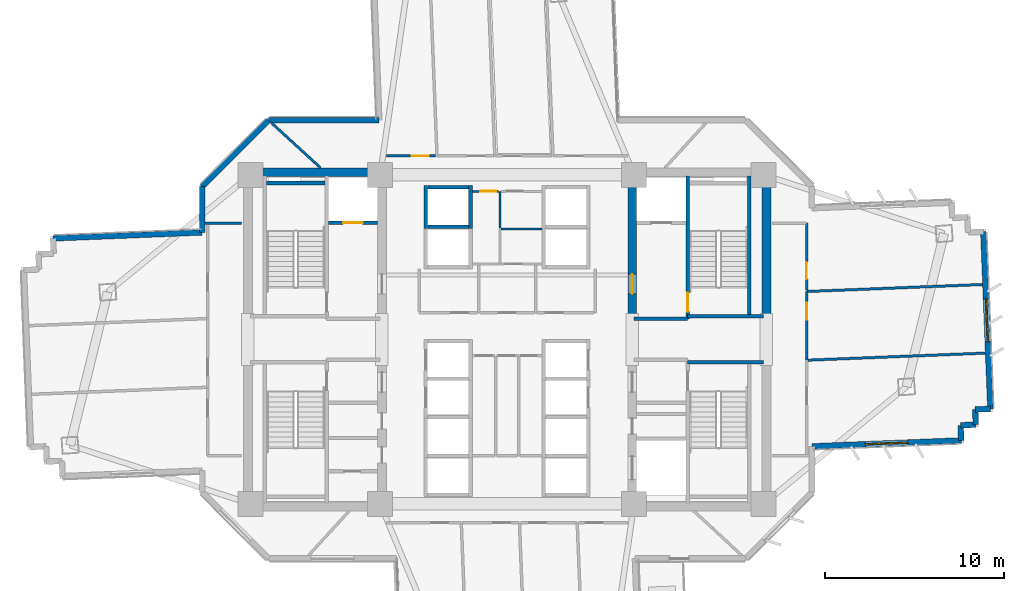
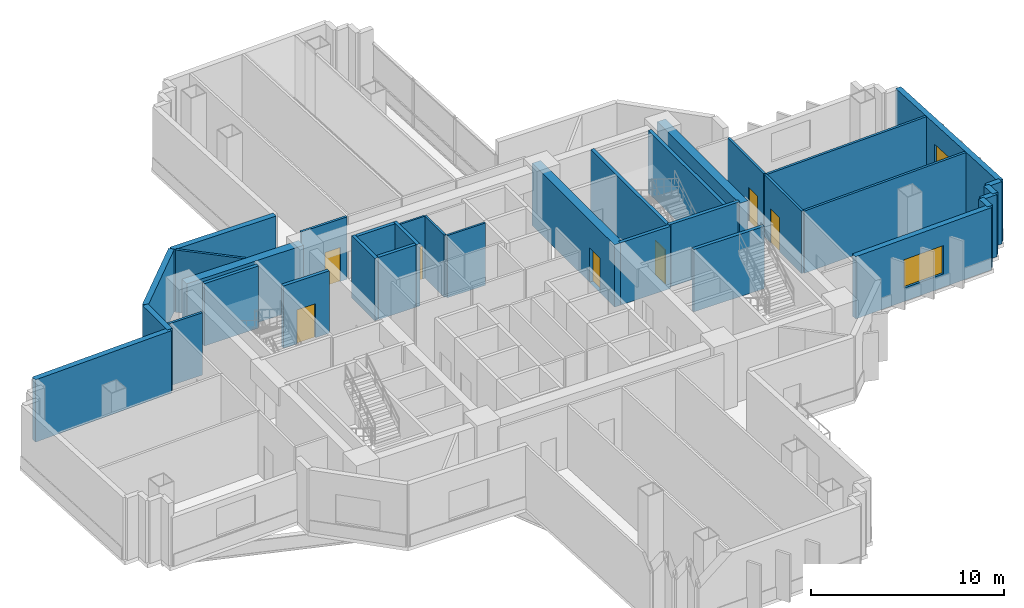
# One storey, part 9 of 16: 34 walls, 7 doors, 2 windows, 9 openings.
"""IFC4 building model written with IfcOpenShell, lengths in metres."""

from ifc_helpers import new_model, si_unit, direction, frame, frame_2d, origin, place, context, subcontext, project, spatial, rectangle, extrude, source, transform, mapped, material, layer, layer_set, type_object, element, fill, save


model = new_model("IFC4")

# Units and contexts
model_context = context("Model", 3, precision=1e-05, world=origin(), true_north=direction((0.0, 1.0)))
body_context = subcontext(model_context, "Body", "Model", "MODEL_VIEW")
ifc_project = project(units=[si_unit("LENGTHUNIT", "METRE"), si_unit("AREAUNIT", "SQUARE_METRE"), si_unit("VOLUMEUNIT", "CUBIC_METRE"), si_unit("PLANEANGLEUNIT", "RADIAN"), si_unit("MASSUNIT", "GRAM", prefix="KILO")], contexts=[model_context])

# Site, building, storey
site_placement = place(None, origin())
site = spatial("IfcSite", under=ifc_project, at=site_placement, CompositionType="ELEMENT")
building_placement = place(site_placement, origin())
building = spatial("IfcBuilding", under=site, at=building_placement, Name="Zahravan Cultural Tower", CompositionType="ELEMENT")
storey_placement = place(building_placement, frame((0.0, 0.0, 62.699951171875)))
storey = spatial("IfcBuildingStorey", under=building, at=storey_placement, Name="L13", CompositionType="ELEMENT", Elevation=62.699951171875)

# Wall, opening, door
ifc_material_1 = material(Name="Concrete C60/75", Category="concrete")
ifc_layer_1 = layer(ifc_material_1, 0.5)
ifc_layer_set_1 = layer_set([ifc_layer_1], Name="Concrete C60/75")
wall_type_1 = type_object("IfcWallType", Name="CW-SHEAR-500-C60", PredefinedType="SHEAR", material=ifc_layer_set_1)
wall_1_placement = place(storey_placement, frame((43.0, 28.050048828125, 0.0), z_axis=(0.0, 0.0, 1.0), x_axis=(0.0, 1.0, 0.0)))
wall_1 = element("IfcWall", 1, at=wall_1_placement, inside=storey, type_object=wall_type_1, Name="L13 Core Shear Wall CW-E-WN-L13", PredefinedType="SHEAR", context=body_context, shape_type="SweptSolid", body=[
    extrude(rectangle(XDim=8.550048828125, YDim=0.5, at=frame_2d((4.27490234375, 0.0))), origin(), (0.0, 0.0, 1.0), 3.949951171875),
])
opening_1_placement = place(wall_1_placement, frame((1.5, 0.0, 0.0)))
opening_1 = element("IfcOpeningElement", 2, at=opening_1_placement, cuts=wall_1, Name="Opening D-L13-06", PredefinedType="OPENING", context=body_context, shape_type="SweptSolid", body=[
    extrude(rectangle(XDim=1.10009765625, YDim=2.199951171875, at=frame_2d((0.550048828125, 1.10009765625))), frame((0.0, 0.260009765625, 0.0), z_axis=(0.0, -1.0, 0.0), x_axis=(1.0, 0.0, 0.0)), (0.0, 0.0, 1.0), 0.52001953125),
])
ifc_material_2 = material(Name="Steel ASTM A572 Grade 50", Category="steel")
door_type_1 = type_object("IfcDoorType", Name="DR-LOBBY-1100", OperationType="NOTDEFINED", PredefinedType="DOOR", material=ifc_material_2)
shared_shape_1 = source(origin(), body_context, "Body", "SweptSolid", [
    extrude(rectangle(XDim=1.10009765625, YDim=2.199951171875, at=frame_2d((0.550048828125, 1.10009765625))), frame((0.0, 0.02490234375, 0.0), z_axis=(0.0, -1.0, 0.0), x_axis=(1.0, 0.0, 0.0)), (0.0, 0.0, 1.0), 0.050048828125),
])
door_1_placement = place(opening_1_placement, origin())
door_1 = element("IfcDoor", 3, at=door_1_placement, inside=storey, type_object=door_type_1, Name="L13 Door D-L13-06", OperationType="SINGLE_SWING_RIGHT", OverallHeight=2.199951171875, OverallWidth=1.10009765625, PredefinedType="DOOR", context=body_context, shape_type="MappedRepresentation", body=[
    mapped(shared_shape_1, transform((0.0, 0.0, 0.0), x_axis=(1.0, 0.0, 0.0), y_axis=(0.0, 1.0, 0.0), z_axis=(0.0, 0.0, 1.0), scale=1.0)),
])
fill(opening_1, door_1)

# Wall, opening, window
ifc_material_3 = material(Name="Precast concrete C40/50", Category="concrete")
ifc_layer_2 = layer(ifc_material_3, 0.320068359375)
ifc_layer_set_2 = layer_set([ifc_layer_2], Name="Precast concrete C40/50")
wall_type_2 = type_object("IfcWallType", Name="EW-TC-320", PredefinedType="SOLIDWALL", material=ifc_layer_set_2)
wall_2_placement = place(storey_placement, frame((62.641357421875, 33.024658203125, 0.0), z_axis=(0.0, 0.0, 1.0), x_axis=(0.03977146366, -0.999208802342, 0.0)))
wall_2 = element("IfcWall", 4, at=wall_2_placement, inside=storey, type_object=wall_type_2, Name="L13 Exterior Masonry Frame Wall 06", PredefinedType="SOLIDWALL", context=body_context, shape_type="SweptSolid", body=[
    extrude(rectangle(XDim=9.919921875, YDim=0.320068359375, at=frame_2d((4.9599609375, 0.0))), origin(), (0.0, 0.0, 1.0), 3.949951171875),
])
opening_2_placement = place(wall_2_placement, frame((3.760009765625, 0.0, 0.85009765625)))
opening_2 = element("IfcOpeningElement", 5, at=opening_2_placement, cuts=wall_2, Name="Opening WN-01", PredefinedType="OPENING", context=body_context, shape_type="SweptSolid", body=[
    extrude(rectangle(XDim=2.39990234375, YDim=1.800048828125, at=frame_2d((1.199951171875, 0.89990234375))), frame((0.0, 0.169921875, 0.0), z_axis=(0.0, -1.0, 0.0), x_axis=(1.0, 0.0, 0.0)), (0.0, 0.0, 1.0), 0.340087890625),
])
ifc_material_4 = material(Name="Low-E solar-control double glazing", Category="glass")
window_type = type_object("IfcWindowType", Name="WN-REC-2400X1800", PartitioningType="DOUBLE_PANEL_VERTICAL", PredefinedType="WINDOW", material=ifc_material_4)
shared_shape_2 = source(origin(), body_context, "Body", "SweptSolid", [
    extrude(rectangle(XDim=2.39990234375, YDim=1.800048828125, at=frame_2d((1.199951171875, 0.89990234375))), frame((0.0, 0.030029296875, 0.0), z_axis=(0.0, -1.0, 0.0), x_axis=(1.0, 0.0, 0.0)), (0.0, 0.0, 1.0), 0.06005859375),
])
window_1_placement = place(opening_2_placement, origin())
window_1 = element("IfcWindow", 6, at=window_1_placement, inside=storey, type_object=window_type, Name="L13 Recessed Solar Window 02", OverallHeight=1.800048828125, OverallWidth=2.39990234375, PartitioningType="DOUBLE_PANEL_VERTICAL", PredefinedType="WINDOW", context=body_context, shape_type="MappedRepresentation", body=[
    mapped(shared_shape_2, transform((0.0, 0.0, 0.0), x_axis=(1.0, 0.0, 0.0), y_axis=(0.0, 1.0, 0.0), z_axis=(0.0, 0.0, 1.0), scale=1.0)),
])
fill(opening_2, window_1)

wall_3_placement = place(storey_placement, frame((61.405029296875, 21.34619140625, 0.0), z_axis=(0.0, 0.0, 1.0), x_axis=(-0.999208226989, -0.039785916063, 0.0)))
wall_3 = element("IfcWall", 7, at=wall_3_placement, inside=storey, type_object=wall_type_2, Name="L13 Exterior Masonry Frame Wall 11", PredefinedType="SOLIDWALL", context=body_context, shape_type="SweptSolid", body=[
    extrude(rectangle(XDim=8.3515625, YDim=0.320068359375, at=frame_2d((4.17578125, 0.0))), origin(), (0.0, 0.0, 1.0), 3.949951171875),
])
opening_3_placement = place(wall_3_placement, frame((2.97607421875, 0.0, 0.85009765625)))
opening_3 = element("IfcOpeningElement", 8, at=opening_3_placement, cuts=wall_3, Name="Opening WN-01", PredefinedType="OPENING", context=body_context, shape_type="SweptSolid", body=[
    extrude(rectangle(XDim=2.39990234375, YDim=1.800048828125, at=frame_2d((1.199951171875, 0.89990234375))), frame((0.0, 0.169921875, 0.0), z_axis=(0.0, -1.0, 0.0), x_axis=(1.0, 0.0, 0.0)), (0.0, 0.0, 1.0), 0.340087890625),
])
window_2_placement = place(opening_3_placement, origin())
window_2 = element("IfcWindow", 9, at=window_2_placement, inside=storey, type_object=window_type, Name="L13 Recessed Solar Window 03", OverallHeight=1.800048828125, OverallWidth=2.39990234375, PartitioningType="DOUBLE_PANEL_VERTICAL", PredefinedType="WINDOW", context=body_context, shape_type="MappedRepresentation", body=[
    mapped(shared_shape_2, transform((0.0, 0.0, 0.0), x_axis=(1.0, 0.0, 0.0), y_axis=(0.0, 1.0, 0.0), z_axis=(0.0, 0.0, 1.0), scale=1.0)),
])
fill(opening_3, window_2)

# Wall, opening, door
ifc_material_5 = material(Name="Gypsum plasterboard partition")
ifc_layer_3 = layer(ifc_material_5, 0.139892578125)
ifc_layer_set_3 = layer_set([ifc_layer_3], Name="Gypsum plasterboard partition")
wall_type_3 = type_object("IfcWallType", Name="W-PART-140", PredefinedType="PARTITIONING", material=ifc_layer_set_3)
wall_4_placement = place(storey_placement, frame((52.75, 25.83544921875, 0.0), z_axis=(0.0, 0.0, 1.0), x_axis=(0.0, 1.0, 0.0)))
wall_4 = element("IfcWall", 10, at=wall_4_placement, inside=storey, type_object=wall_type_3, Name="L13 Interior Wall 091", PredefinedType="PARTITIONING", context=body_context, shape_type="SweptSolid", body=[
    extrude(rectangle(XDim=3.843017578125, YDim=0.139892578125, at=frame_2d((1.92138671875, 0.0))), origin(), (0.0, 0.0, 1.0), 3.949951171875),
])
opening_4_placement = place(wall_4_placement, frame((2.256591796875, 0.0, 0.0)))
opening_4 = element("IfcOpeningElement", 11, at=opening_4_placement, cuts=wall_4, Name="Opening D-L13-22", PredefinedType="OPENING", context=body_context, shape_type="SweptSolid", body=[
    extrude(rectangle(XDim=0.949951171875, YDim=2.14990234375, at=frame_2d((0.47509765625, 1.074951171875))), frame((0.0, 0.079833984375, 0.0), z_axis=(0.0, -1.0, 0.0), x_axis=(1.0, 0.0, 0.0)), (0.0, 0.0, 1.0), 0.159912109375),
])
ifc_material_6 = material(Name="Anodised bronze-aluminium mullion", Category="aluminium")
door_type_2 = type_object("IfcDoorType", Name="DR-ROOM-950", OperationType="NOTDEFINED", PredefinedType="DOOR", material=ifc_material_6)
shared_shape_3 = source(origin(), body_context, "Body", "SweptSolid", [
    extrude(rectangle(XDim=0.949951171875, YDim=2.14990234375, at=frame_2d((0.47509765625, 1.074951171875))), frame((0.0, 0.02490234375, 0.0), z_axis=(0.0, -1.0, 0.0), x_axis=(1.0, 0.0, 0.0)), (0.0, 0.0, 1.0), 0.050048828125),
])
door_2_placement = place(opening_4_placement, origin())
door_2 = element("IfcDoor", 12, at=door_2_placement, inside=storey, type_object=door_type_2, Name="L13 Door D-L13-22", OperationType="SINGLE_SWING_RIGHT", OverallHeight=2.14990234375, OverallWidth=0.949951171875, PredefinedType="DOOR", context=body_context, shape_type="MappedRepresentation", body=[
    mapped(shared_shape_3, transform((0.0, 0.0, 0.0), x_axis=(1.0, 0.0, 0.0), y_axis=(0.0, 1.0, 0.0), z_axis=(0.0, 0.0, 1.0), scale=1.0)),
])
fill(opening_4, door_2)

wall_5_placement = place(storey_placement, frame((32.003662109375, 37.260009765625, 0.0), z_axis=(0.0, 0.0, 1.0), x_axis=(-0.999999996048, -8.8904694e-05, 0.0)))
wall_5 = element("IfcWall", 13, at=wall_5_placement, inside=storey, type_object=wall_type_3, Name="L13 Interior Wall 112", PredefinedType="PARTITIONING", context=body_context, shape_type="SweptSolid", body=[
    extrude(rectangle(XDim=2.74609375, YDim=0.139892578125, at=frame_2d((1.373046875, 0.0))), origin(), (0.0, 0.0, 1.0), 3.949951171875),
])
opening_5_placement = place(wall_5_placement, frame((0.39501953125, 0.0, 0.0)))
opening_5 = element("IfcOpeningElement", 14, at=opening_5_placement, cuts=wall_5, Name="Opening D-L13-27", PredefinedType="OPENING", context=body_context, shape_type="SweptSolid", body=[
    extrude(rectangle(XDim=0.949951171875, YDim=2.14990234375, at=frame_2d((0.47509765625, 1.074951171875))), frame((0.0, 0.079833984375, 0.0), z_axis=(0.0, -1.0, 0.0), x_axis=(1.0, 0.0, 0.0)), (0.0, 0.0, 1.0), 0.159912109375),
])
door_3_placement = place(opening_5_placement, origin())
door_3 = element("IfcDoor", 15, at=door_3_placement, inside=storey, type_object=door_type_2, Name="L13 Door D-L13-27", OperationType="SINGLE_SWING_LEFT", OverallHeight=2.14990234375, OverallWidth=0.949951171875, PredefinedType="DOOR", context=body_context, shape_type="MappedRepresentation", body=[
    mapped(shared_shape_3, transform((0.0, 0.0, 0.0), x_axis=(1.0, 0.0, 0.0), y_axis=(0.0, 1.0, 0.0), z_axis=(0.0, 0.0, 1.0), scale=1.0)),
])
fill(opening_5, door_3)

wall_6_placement = place(storey_placement, frame((52.75, 29.75341796875, 0.0), z_axis=(0.0, 0.0, 1.0), x_axis=(-0.000326030238, 0.999999946852, 0.0)))
wall_6 = element("IfcWall", 16, at=wall_6_placement, inside=storey, type_object=wall_type_3, Name="L13 Interior Wall 119", PredefinedType="PARTITIONING", context=body_context, shape_type="SweptSolid", body=[
    extrude(rectangle(XDim=3.744140625, YDim=0.139892578125, at=frame_2d((1.8720703125, 0.0))), origin(), (0.0, 0.0, 1.0), 3.949951171875),
])
opening_6_placement = place(wall_6_placement, frame((0.61474609375, 0.0, 0.0)))
opening_6 = element("IfcOpeningElement", 17, at=opening_6_placement, cuts=wall_6, Name="Opening D-L13-23", PredefinedType="OPENING", context=body_context, shape_type="SweptSolid", body=[
    extrude(rectangle(XDim=0.949951171875, YDim=2.14990234375, at=frame_2d((0.47509765625, 1.074951171875))), frame((0.0, 0.079833984375, 0.0), z_axis=(0.0, -1.0, 0.0), x_axis=(1.0, 0.0, 0.0)), (0.0, 0.0, 1.0), 0.159912109375),
])
door_4_placement = place(opening_6_placement, origin())
door_4 = element("IfcDoor", 18, at=door_4_placement, inside=storey, type_object=door_type_2, Name="L13 Door D-L13-23", OperationType="SINGLE_SWING_LEFT", OverallHeight=2.14990234375, OverallWidth=0.949951171875, PredefinedType="DOOR", context=body_context, shape_type="MappedRepresentation", body=[
    mapped(shared_shape_3, transform((0.0, 0.0, 0.0), x_axis=(1.0, 0.0, 0.0), y_axis=(0.0, 1.0, 0.0), z_axis=(0.0, 0.0, 1.0), scale=1.0)),
])
fill(opening_6, door_4)

ifc_material_7 = material(Name="Concrete C45/55", Category="concrete")
ifc_layer_4 = layer(ifc_material_7, 0.199951171875)
ifc_layer_set_4 = layer_set([ifc_layer_4], Name="Concrete C45/55")
wall_type_4 = type_object("IfcWallType", Name="W-SHAFT-200", PredefinedType="SOLIDWALL", material=ifc_layer_set_4)
wall_7_placement = place(storey_placement, frame((46.10009765625, 28.14990234375, 0.0), z_axis=(0.0, 0.0, 1.0), x_axis=(0.0, 1.0, 0.0)))
wall_7 = element("IfcWall", 19, at=wall_7_placement, inside=storey, type_object=wall_type_4, Name="L13 Interior Wall 008", PredefinedType="SOLIDWALL", context=body_context, shape_type="SweptSolid", body=[
    extrude(rectangle(XDim=8.0, YDim=0.199951171875, at=frame_2d((4.0, 0.0))), origin(), (0.0, 0.0, 1.0), 3.949951171875),
])
opening_7_placement = place(wall_7_placement, frame((0.39990234375, 0.0, 0.0)))
opening_7 = element("IfcOpeningElement", 20, at=opening_7_placement, cuts=wall_7, Name="Opening D-L13-02", PredefinedType="OPENING", context=body_context, shape_type="SweptSolid", body=[
    extrude(rectangle(XDim=1.050048828125, YDim=2.14990234375, at=frame_2d((0.52490234375, 1.074951171875))), frame((0.0, 0.10986328125, 0.0), z_axis=(0.0, -1.0, 0.0), x_axis=(1.0, 0.0, 0.0)), (0.0, 0.0, 1.0), 0.219970703125),
])
door_type_3 = type_object("IfcDoorType", Name="DR-STAIR-1050", OperationType="NOTDEFINED", PredefinedType="DOOR", material=ifc_material_2)
shared_shape_4 = source(origin(), body_context, "Body", "SweptSolid", [
    extrude(rectangle(XDim=1.050048828125, YDim=2.14990234375, at=frame_2d((0.52490234375, 1.074951171875))), frame((0.0, 0.02490234375, 0.0), z_axis=(0.0, -1.0, 0.0), x_axis=(1.0, 0.0, 0.0)), (0.0, 0.0, 1.0), 0.050048828125),
])
door_5_placement = place(opening_7_placement, origin())
door_5 = element("IfcDoor", 21, at=door_5_placement, inside=storey, type_object=door_type_3, Name="L13 Door D-L13-02", OperationType="SINGLE_SWING_RIGHT", OverallHeight=2.14990234375, OverallWidth=1.050048828125, PredefinedType="DOOR", context=body_context, shape_type="MappedRepresentation", body=[
    mapped(shared_shape_4, transform((0.0, 0.0, 0.0), x_axis=(1.0, 0.0, 0.0), y_axis=(0.0, 1.0, 0.0), z_axis=(0.0, 0.0, 1.0), scale=1.0)),
])
fill(opening_7, door_5)

wall_8_placement = place(storey_placement, frame((26.0, 33.52001953125, 0.0), z_axis=(0.0, 0.0, 1.0), x_axis=(1.0, 0.0, 0.0)))
wall_8 = element("IfcWall", 22, at=wall_8_placement, inside=storey, type_object=wall_type_4, Name="L13 Interior Wall 021", PredefinedType="SOLIDWALL", context=body_context, shape_type="SweptSolid", body=[
    extrude(rectangle(XDim=2.75, YDim=0.199951171875, at=frame_2d((1.375, 0.0))), origin(), (0.0, 0.0, 1.0), 3.949951171875),
])
opening_8_placement = place(wall_8_placement, frame((0.820068359375, 0.0, 0.0)))
opening_8 = element("IfcOpeningElement", 23, at=opening_8_placement, cuts=wall_8, Name="Opening LD-L13-01", PredefinedType="OPENING", context=body_context, shape_type="SweptSolid", body=[
    extrude(rectangle(XDim=1.10009765625, YDim=2.14990234375, at=frame_2d((0.550048828125, 1.074951171875))), frame((0.0, 0.10986328125, 0.0), z_axis=(0.0, -1.0, 0.0), x_axis=(1.0, 0.0, 0.0)), (0.0, 0.0, 1.0), 0.219970703125),
])
door_type_4 = type_object("IfcDoorType", Name="DR-LIFT-1100", OperationType="DOUBLE_DOOR_SLIDING", PredefinedType="DOOR", material=ifc_material_2)
shared_shape_5 = source(origin(), body_context, "Body", "SweptSolid", [
    extrude(rectangle(XDim=1.10009765625, YDim=2.14990234375, at=frame_2d((0.550048828125, 1.074951171875))), frame((0.0, 0.02490234375, 0.0), z_axis=(0.0, -1.0, 0.0), x_axis=(1.0, 0.0, 0.0)), (0.0, 0.0, 1.0), 0.050048828125),
])
door_6_placement = place(opening_8_placement, origin())
door_6 = element("IfcDoor", 24, at=door_6_placement, inside=storey, type_object=door_type_4, Name="L13 Door LD-L13-01", OperationType="DOUBLE_DOOR_SLIDING", OverallHeight=2.14990234375, OverallWidth=1.10009765625, PredefinedType="DOOR", context=body_context, shape_type="MappedRepresentation", body=[
    mapped(shared_shape_5, transform((0.0, 0.0, 0.0), x_axis=(1.0, 0.0, 0.0), y_axis=(0.0, 1.0, 0.0), z_axis=(0.0, 0.0, 1.0), scale=1.0)),
])
fill(opening_8, door_6)

ifc_layer_5 = layer(ifc_material_5, 0.114990234375)
ifc_layer_set_5 = layer_set([ifc_layer_5], Name="Gypsum plasterboard partition")
wall_type_5 = type_object("IfcWallType", Name="W-WC-115", PredefinedType="PARTITIONING", material=ifc_layer_set_5)
wall_9_placement = place(storey_placement, frame((34.054931640625, 35.280029296875, 0.0), z_axis=(0.0, 0.0, 1.0), x_axis=(1.0, 0.0, 0.0)))
wall_9 = element("IfcWall", 25, at=wall_9_placement, inside=storey, type_object=wall_type_5, Name="L13 Interior Wall 075", PredefinedType="PARTITIONING", context=body_context, shape_type="SweptSolid", body=[
    extrude(rectangle(XDim=1.47265625, YDim=0.114990234375, at=frame_2d((0.736328125, 0.0))), origin(), (0.0, 0.0, 1.0), 3.949951171875),
])
opening_9_placement = place(wall_9_placement, frame((0.4326171875, 0.0, 0.0)))
opening_9 = element("IfcOpeningElement", 26, at=opening_9_placement, cuts=wall_9, Name="Opening D-L13-13", PredefinedType="OPENING", context=body_context, shape_type="SweptSolid", body=[
    extrude(rectangle(XDim=0.89990234375, YDim=2.10009765625, at=frame_2d((0.449951171875, 1.050048828125))), frame((0.0, 0.0673828125, 0.0), z_axis=(0.0, -1.0, 0.0), x_axis=(1.0, 0.0, 0.0)), (0.0, 0.0, 1.0), 0.135009765625),
])
door_type_5 = type_object("IfcDoorType", Name="DR-WC-900", OperationType="NOTDEFINED", PredefinedType="DOOR", material=ifc_material_6)
shared_shape_6 = source(origin(), body_context, "Body", "SweptSolid", [
    extrude(rectangle(XDim=0.89990234375, YDim=2.10009765625, at=frame_2d((0.449951171875, 1.050048828125))), frame((0.0, 0.02490234375, 0.0), z_axis=(0.0, -1.0, 0.0), x_axis=(1.0, 0.0, 0.0)), (0.0, 0.0, 1.0), 0.050048828125),
])
door_7_placement = place(opening_9_placement, origin())
door_7 = element("IfcDoor", 27, at=door_7_placement, inside=storey, type_object=door_type_5, Name="L13 Door D-L13-13", OperationType="SINGLE_SWING_LEFT", OverallHeight=2.10009765625, OverallWidth=0.89990234375, PredefinedType="DOOR", context=body_context, shape_type="MappedRepresentation", body=[
    mapped(shared_shape_6, transform((0.0, 0.0, 0.0), x_axis=(1.0, 0.0, 0.0), y_axis=(0.0, 1.0, 0.0), z_axis=(0.0, 0.0, 1.0), scale=1.0)),
])
fill(opening_9, door_7)

# Walls
shared_shape_7 = source(origin(), body_context, "Body", "SweptSolid", [
    extrude(rectangle(XDim=8.550048828125, YDim=0.5, at=frame_2d((4.27490234375, 0.0))), origin(), (0.0, 0.0, 1.0), 3.949951171875),
])
wall_10_placement = place(storey_placement, frame((50.5, 28.050048828125, 0.0), z_axis=(0.0, 0.0, 1.0), x_axis=(0.0, 1.0, 0.0)))
element("IfcWall", 28, at=wall_10_placement, inside=storey, type_object=wall_type_1, Name="L13 Core Shear Wall CW-E-EN-L13", PredefinedType="SHEAR", context=body_context, shape_type="MappedRepresentation", body=[
    mapped(shared_shape_7, transform((0.0, 0.0, 0.0), x_axis=(1.0, 0.0, 0.0), y_axis=(0.0, 1.0, 0.0), z_axis=(0.0, 0.0, 1.0), scale=1.0)),
])
shared_shape_8 = source(origin(), body_context, "Body", "SweptSolid", [
    extrude(rectangle(XDim=7.0, YDim=0.5, at=frame_2d((3.5, 0.0))), origin(), (0.0, 0.0, 1.0), 3.949951171875),
])
wall_11_placement = place(storey_placement, frame((21.75, 36.35009765625, 0.0), z_axis=(0.0, 0.0, 1.0), x_axis=(1.0, 0.0, 0.0)))
element("IfcWall", 29, at=wall_11_placement, inside=storey, type_object=wall_type_1, Name="L13 Core Shear Wall CW-W-N-L13", PredefinedType="SHEAR", context=body_context, shape_type="MappedRepresentation", body=[
    mapped(shared_shape_8, transform((0.0, 0.0, 0.0), x_axis=(1.0, 0.0, 0.0), y_axis=(0.0, 1.0, 0.0), z_axis=(0.0, 0.0, 1.0), scale=1.0)),
])
shared_shape_9 = source(origin(), body_context, "Body", "SweptSolid", [
    extrude(rectangle(XDim=0.849853515625, YDim=0.320068359375, at=frame_2d((0.4248046875, 0.0))), origin(), (0.0, 0.0, 1.0), 3.949951171875),
])
wall_12_placement = place(storey_placement, frame((63.035888671875, 23.112548828125, 0.0), z_axis=(0.0, 0.0, 1.0), x_axis=(-0.999202334929, -0.039933618331, 0.0)))
element("IfcWall", 30, at=wall_12_placement, inside=storey, type_object=wall_type_2, Name="L13 Exterior Masonry Frame Wall 07", PredefinedType="SOLIDWALL", context=body_context, shape_type="MappedRepresentation", body=[
    mapped(shared_shape_9, transform((0.0, 0.0, 0.0), x_axis=(1.0, 0.0, 0.0), y_axis=(0.0, 1.0, 0.0), z_axis=(0.0, 0.0, 1.0), scale=1.0)),
])
shared_shape_10 = source(origin(), body_context, "Body", "SweptSolid", [
    extrude(rectangle(XDim=0.85009765625, YDim=0.320068359375, at=frame_2d((0.425048828125, 0.0))), origin(), (0.0, 0.0, 1.0), 3.949951171875),
])
for number, where, z_axis, x_axis, name in (
    (31, (62.186767578125, 23.07861328125, 0.0), (0.0, 0.0, 1.0), (0.039635401209, -0.999214208752, 0.0), "L13 Exterior Masonry Frame Wall 08"),
    (32, (62.220458984375, 22.229248046875, 0.0), (0.0, 0.0, 1.0), (-0.999214208752, -0.039635401209, 0.0), "L13 Exterior Masonry Frame Wall 09"),
    (33, (61.37109375, 22.195556640625, 0.0), (0.0, 0.0, 1.0), (0.039922158152, -0.999202792875, 0.0), "L13 Exterior Masonry Frame Wall 10"),
):
    element("IfcWall", number, at=place(storey_placement, frame(where, z_axis=z_axis, x_axis=x_axis)), inside=storey, type_object=wall_type_2, Name=name, PredefinedType="SOLIDWALL", context=body_context, shape_type="MappedRepresentation", body=[
        mapped(shared_shape_10, transform((0.0, 0.0, 0.0), x_axis=(1.0, 0.0, 0.0), y_axis=(0.0, 1.0, 0.0), z_axis=(0.0, 0.0, 1.0), scale=1.0)),
    ])
shared_shape_11 = source(origin(), body_context, "Body", "SweptSolid", [
    extrude(rectangle(XDim=5.258056640625, YDim=0.320068359375, at=frame_2d((2.62890625, 0.0))), origin(), (0.0, 0.0, 1.0), 3.949951171875),
])
wall_13_placement = place(storey_placement, frame((18.93994140625, 35.5419921875, 0.0), z_axis=(0.0, 0.0, 1.0), x_axis=(0.707106781187, 0.707106781187, 0.0)))
element("IfcWall", 34, at=wall_13_placement, inside=storey, type_object=wall_type_2, Name="L13 Exterior Masonry Frame Wall 40", PredefinedType="SOLIDWALL", context=body_context, shape_type="MappedRepresentation", body=[
    mapped(shared_shape_11, transform((0.0, 0.0, 0.0), x_axis=(1.0, 0.0, 0.0), y_axis=(0.0, 1.0, 0.0), z_axis=(0.0, 0.0, 1.0), scale=1.0)),
])
shared_shape_12 = source(origin(), body_context, "Body", "SweptSolid", [
    extrude(rectangle(XDim=2.555908203125, YDim=0.320068359375, at=frame_2d((1.27783203125, 0.0))), origin(), (0.0, 0.0, 1.0), 3.949951171875),
])
wall_14_placement = place(storey_placement, frame((18.93994140625, 32.986083984375, 0.0), z_axis=(0.0, 0.0, 1.0), x_axis=(0.0, 1.0, 0.0)))
element("IfcWall", 35, at=wall_14_placement, inside=storey, type_object=wall_type_2, Name="L13 Exterior Masonry Frame Wall 39", PredefinedType="SOLIDWALL", context=body_context, shape_type="MappedRepresentation", body=[
    mapped(shared_shape_12, transform((0.0, 0.0, 0.0), x_axis=(1.0, 0.0, 0.0), y_axis=(0.0, 1.0, 0.0), z_axis=(0.0, 0.0, 1.0), scale=1.0)),
])
shared_shape_13 = source(origin(), body_context, "Body", "SweptSolid", [
    extrude(rectangle(XDim=8.3515625, YDim=0.320068359375, at=frame_2d((4.17578125, 0.0))), origin(), (0.0, 0.0, 1.0), 3.949951171875),
])
wall_15_placement = place(storey_placement, frame((10.594970703125, 32.65380859375, 0.0), z_axis=(0.0, 0.0, 1.0), x_axis=(0.999208226989, 0.039785916063, 0.0)))
element("IfcWall", 36, at=wall_15_placement, inside=storey, type_object=wall_type_2, Name="L13 Exterior Masonry Frame Wall 38", PredefinedType="SOLIDWALL", context=body_context, shape_type="MappedRepresentation", body=[
    mapped(shared_shape_13, transform((0.0, 0.0, 0.0), x_axis=(1.0, 0.0, 0.0), y_axis=(0.0, 1.0, 0.0), z_axis=(0.0, 0.0, 1.0), scale=1.0)),
])
shared_shape_14 = source(origin(), body_context, "Body", "SweptSolid", [
    extrude(rectangle(XDim=6.188720703125, YDim=0.320068359375, at=frame_2d((3.09423828125, 0.0))), origin(), (0.0, 0.0, 1.0), 3.949951171875),
])
wall_16_placement = place(storey_placement, frame((22.657958984375, 39.260009765625, 0.0), z_axis=(0.0, 0.0, 1.0), x_axis=(1.0, 0.0, 0.0)))
element("IfcWall", 37, at=wall_16_placement, inside=storey, type_object=wall_type_2, Name="L13 Exterior Masonry Frame Wall 41", PredefinedType="SOLIDWALL", context=body_context, shape_type="MappedRepresentation", body=[
    mapped(shared_shape_14, transform((0.0, 0.0, 0.0), x_axis=(1.0, 0.0, 0.0), y_axis=(0.0, 1.0, 0.0), z_axis=(0.0, 0.0, 1.0), scale=1.0)),
])
shared_shape_15 = source(origin(), body_context, "Body", "SweptSolid", [
    extrude(rectangle(XDim=7.869873046875, YDim=0.199951171875, at=frame_2d((3.93505859375, 0.0))), origin(), (0.0, 0.0, 1.0), 3.949951171875),
])
wall_17_placement = place(storey_placement, frame((49.550048828125, 28.280029296875, 0.0), z_axis=(0.0, 0.0, 1.0), x_axis=(0.0, 1.0, 0.0)))
element("IfcWall", 38, at=wall_17_placement, inside=storey, type_object=wall_type_4, Name="L13 Interior Wall 004", PredefinedType="SOLIDWALL", context=body_context, shape_type="MappedRepresentation", body=[
    mapped(shared_shape_15, transform((0.0, 0.0, 0.0), x_axis=(1.0, 0.0, 0.0), y_axis=(0.0, 1.0, 0.0), z_axis=(0.0, 0.0, 1.0), scale=1.0)),
])
shared_shape_16 = source(origin(), body_context, "Body", "SweptSolid", [
    extrude(rectangle(XDim=4.25, YDim=0.199951171875, at=frame_2d((2.125, 0.0))), origin(), (0.0, 0.0, 1.0), 3.949951171875),
])
for number, where, z_axis, x_axis, name in (
    (39, (46.10009765625, 25.715087890625, 0.0), (0.0, 0.0, 1.0), (1.0, 0.0, 0.0), "L13 Interior Wall 014"),
    (40, (46.10009765625, 28.284912109375, 0.0), (0.0, 0.0, 1.0), (1.0, 0.0, 0.0), "L13 Interior Wall 016"),
):
    element("IfcWall", number, at=place(storey_placement, frame(where, z_axis=z_axis, x_axis=x_axis)), inside=storey, type_object=wall_type_4, Name=name, PredefinedType="SOLIDWALL", context=body_context, shape_type="MappedRepresentation", body=[
        mapped(shared_shape_16, transform((0.0, 0.0, 0.0), x_axis=(1.0, 0.0, 0.0), y_axis=(0.0, 1.0, 0.0), z_axis=(0.0, 0.0, 1.0), scale=1.0)),
    ])
shared_shape_17 = source(origin(), body_context, "Body", "SweptSolid", [
    extrude(rectangle(XDim=3.0, YDim=0.199951171875, at=frame_2d((1.5, 0.0))), origin(), (0.0, 0.0, 1.0), 3.949951171875),
])
wall_18_placement = place(storey_placement, frame((43.10009765625, 28.14990234375, 0.0), z_axis=(0.0, 0.0, 1.0), x_axis=(1.0, 0.0, 0.0)))
element("IfcWall", 41, at=wall_18_placement, inside=storey, type_object=wall_type_4, Name="L13 Interior Wall 015", PredefinedType="SOLIDWALL", context=body_context, shape_type="MappedRepresentation", body=[
    mapped(shared_shape_17, transform((0.0, 0.0, 0.0), x_axis=(1.0, 0.0, 0.0), y_axis=(0.0, 1.0, 0.0), z_axis=(0.0, 0.0, 1.0), scale=1.0)),
])
shared_shape_18 = source(origin(), body_context, "Body", "SweptSolid", [
    extrude(rectangle(XDim=3.25, YDim=0.199951171875, at=frame_2d((1.625, 0.0))), origin(), (0.0, 0.0, 1.0), 3.949951171875),
])
wall_19_placement = place(storey_placement, frame((22.550048828125, 35.75, 0.0), z_axis=(0.0, 0.0, 1.0), x_axis=(1.0, 0.0, 0.0)))
element("IfcWall", 42, at=wall_19_placement, inside=storey, type_object=wall_type_4, Name="L13 Interior Wall 017", PredefinedType="SOLIDWALL", context=body_context, shape_type="MappedRepresentation", body=[
    mapped(shared_shape_18, transform((0.0, 0.0, 0.0), x_axis=(1.0, 0.0, 0.0), y_axis=(0.0, 1.0, 0.0), z_axis=(0.0, 0.0, 1.0), scale=1.0)),
])
shared_shape_19 = source(origin(), body_context, "Body", "SweptSolid", [
    extrude(rectangle(XDim=2.400146484375, YDim=0.199951171875, at=frame_2d((1.2001953125, 0.0))), origin(), (0.0, 0.0, 1.0), 3.949951171875),
])
for number, where, z_axis, x_axis, name in (
    (43, (31.449951171875, 33.199951171875, 0.0), (0.0, 0.0, 1.0), (0.0, 1.0, 0.0), "L13 Interior Wall 029"),
    (44, (33.949951171875, 33.199951171875, 0.0), (0.0, 0.0, 1.0), (0.0, 1.0, 0.0), "L13 Interior Wall 030"),
):
    element("IfcWall", number, at=place(storey_placement, frame(where, z_axis=z_axis, x_axis=x_axis)), inside=storey, type_object=wall_type_4, Name=name, PredefinedType="SOLIDWALL", context=body_context, shape_type="MappedRepresentation", body=[
        mapped(shared_shape_19, transform((0.0, 0.0, 0.0), x_axis=(1.0, 0.0, 0.0), y_axis=(0.0, 1.0, 0.0), z_axis=(0.0, 0.0, 1.0), scale=1.0)),
    ])
shared_shape_20 = source(origin(), body_context, "Body", "SweptSolid", [
    extrude(rectangle(XDim=2.260009765625, YDim=0.199951171875, at=frame_2d((1.1298828125, 0.0))), origin(), (0.0, 0.0, 1.0), 3.949951171875),
])
for number, where, z_axis, x_axis, name in (
    (45, (31.570068359375, 33.300048828125, 0.0), (0.0, 0.0, 1.0), (1.0, 0.0, 0.0), "L13 Interior Wall 031"),
    (46, (31.570068359375, 35.5, 0.0), (0.0, 0.0, 1.0), (1.0, 0.0, 0.0), "L13 Interior Wall 032"),
):
    element("IfcWall", number, at=place(storey_placement, frame(where, z_axis=z_axis, x_axis=x_axis)), inside=storey, type_object=wall_type_4, Name=name, PredefinedType="SOLIDWALL", context=body_context, shape_type="MappedRepresentation", body=[
        mapped(shared_shape_20, transform((0.0, 0.0, 0.0), x_axis=(1.0, 0.0, 0.0), y_axis=(0.0, 1.0, 0.0), z_axis=(0.0, 0.0, 1.0), scale=1.0)),
    ])
shared_shape_21 = source(origin(), body_context, "Body", "SweptSolid", [
    extrude(rectangle(XDim=2.0400390625, YDim=0.114990234375, at=frame_2d((1.02001953125, 0.0))), origin(), (0.0, 0.0, 1.0), 3.949951171875),
])
wall_20_placement = place(storey_placement, frame((35.590087890625, 33.239990234375, 0.0), z_axis=(0.0, 0.0, 1.0), x_axis=(0.0, 1.0, 0.0)))
element("IfcWall", 47, at=wall_20_placement, inside=storey, type_object=wall_type_5, Name="L13 Interior Wall 072", PredefinedType="PARTITIONING", context=body_context, shape_type="MappedRepresentation", body=[
    mapped(shared_shape_21, transform((0.0, 0.0, 0.0), x_axis=(1.0, 0.0, 0.0), y_axis=(0.0, 1.0, 0.0), z_axis=(0.0, 0.0, 1.0), scale=1.0)),
])
shared_shape_22 = source(origin(), body_context, "Body", "SweptSolid", [
    extrude(rectangle(XDim=2.29248046875, YDim=0.114990234375, at=frame_2d((1.146240234375, 0.0))), origin(), (0.0, 0.0, 1.0), 3.949951171875),
])
wall_21_placement = place(storey_placement, frame((35.652587890625, 33.179931640625, 0.0), z_axis=(0.0, 0.0, 1.0), x_axis=(1.0, 0.0, 0.0)))
element("IfcWall", 48, at=wall_21_placement, inside=storey, type_object=wall_type_5, Name="L13 Interior Wall 071", PredefinedType="PARTITIONING", context=body_context, shape_type="MappedRepresentation", body=[
    mapped(shared_shape_22, transform((0.0, 0.0, 0.0), x_axis=(1.0, 0.0, 0.0), y_axis=(0.0, 1.0, 0.0), z_axis=(0.0, 0.0, 1.0), scale=1.0)),
])
shared_shape_23 = source(origin(), body_context, "Body", "SweptSolid", [
    extrude(rectangle(XDim=9.850830078125, YDim=0.139892578125, at=frame_2d((4.92529296875, 0.0))), origin(), (0.0, 0.0, 1.0), 3.949951171875),
])
wall_22_placement = place(storey_placement, frame((52.7509765625, 29.678466796875, 0.0), z_axis=(0.0, 0.0, 1.0), x_axis=(0.999208542072, 0.039778002084, 0.0)))
element("IfcWall", 49, at=wall_22_placement, inside=storey, type_object=wall_type_3, Name="L13 Interior Wall 092", PredefinedType="PARTITIONING", context=body_context, shape_type="MappedRepresentation", body=[
    mapped(shared_shape_23, transform((0.0, 0.0, 0.0), x_axis=(1.0, 0.0, 0.0), y_axis=(0.0, 1.0, 0.0), z_axis=(0.0, 0.0, 1.0), scale=1.0)),
])
shared_shape_24 = source(origin(), body_context, "Body", "SweptSolid", [
    extrude(rectangle(XDim=9.929443359375, YDim=0.139892578125, at=frame_2d((4.96484375, 0.0))), origin(), (0.0, 0.0, 1.0), 3.949951171875),
])
wall_23_placement = place(storey_placement, frame((62.74658203125, 26.2333984375, 0.0), z_axis=(0.0, 0.0, 1.0), x_axis=(-0.999208364847, -0.039782453661, 0.0)))
element("IfcWall", 50, at=wall_23_placement, inside=storey, type_object=wall_type_3, Name="L13 Interior Wall 093", PredefinedType="PARTITIONING", context=body_context, shape_type="MappedRepresentation", body=[
    mapped(shared_shape_24, transform((0.0, 0.0, 0.0), x_axis=(1.0, 0.0, 0.0), y_axis=(0.0, 1.0, 0.0), z_axis=(0.0, 0.0, 1.0), scale=1.0)),
])
shared_shape_25 = source(origin(), body_context, "Body", "SweptSolid", [
    extrude(rectangle(XDim=3.68896484375, YDim=0.139892578125, at=frame_2d((1.844482421875, 0.0))), origin(), (0.0, 0.0, 1.0), 3.949951171875),
])
wall_24_placement = place(storey_placement, frame((25.556640625, 36.60498046875, 0.0), z_axis=(0.0, 0.0, 1.0), x_axis=(-0.737843279395, 0.674972069831, 0.0)))
element("IfcWall", 51, at=wall_24_placement, inside=storey, type_object=wall_type_3, Name="L13 Interior Wall 113", PredefinedType="PARTITIONING", context=body_context, shape_type="MappedRepresentation", body=[
    mapped(shared_shape_25, transform((0.0, 0.0, 0.0), x_axis=(1.0, 0.0, 0.0), y_axis=(0.0, 1.0, 0.0), z_axis=(0.0, 0.0, 1.0), scale=1.0)),
])
shared_shape_26 = source(origin(), body_context, "Body", "SweptSolid", [
    extrude(rectangle(XDim=2.04931640625, YDim=0.139892578125, at=frame_2d((1.024658203125, 0.0))), origin(), (0.0, 0.0, 1.0), 3.949951171875),
])
wall_25_placement = place(storey_placement, frame((21.1494140625, 33.49658203125, 0.0), z_axis=(0.0, 0.0, 1.0), x_axis=(-0.999999992904, -0.000119132713, 0.0)))
element("IfcWall", 52, at=wall_25_placement, inside=storey, type_object=wall_type_3, Name="L13 Interior Wall 115", PredefinedType="PARTITIONING", context=body_context, shape_type="MappedRepresentation", body=[
    mapped(shared_shape_26, transform((0.0, 0.0, 0.0), x_axis=(1.0, 0.0, 0.0), y_axis=(0.0, 1.0, 0.0), z_axis=(0.0, 0.0, 1.0), scale=1.0)),
])

save(model, "model.ifc")
